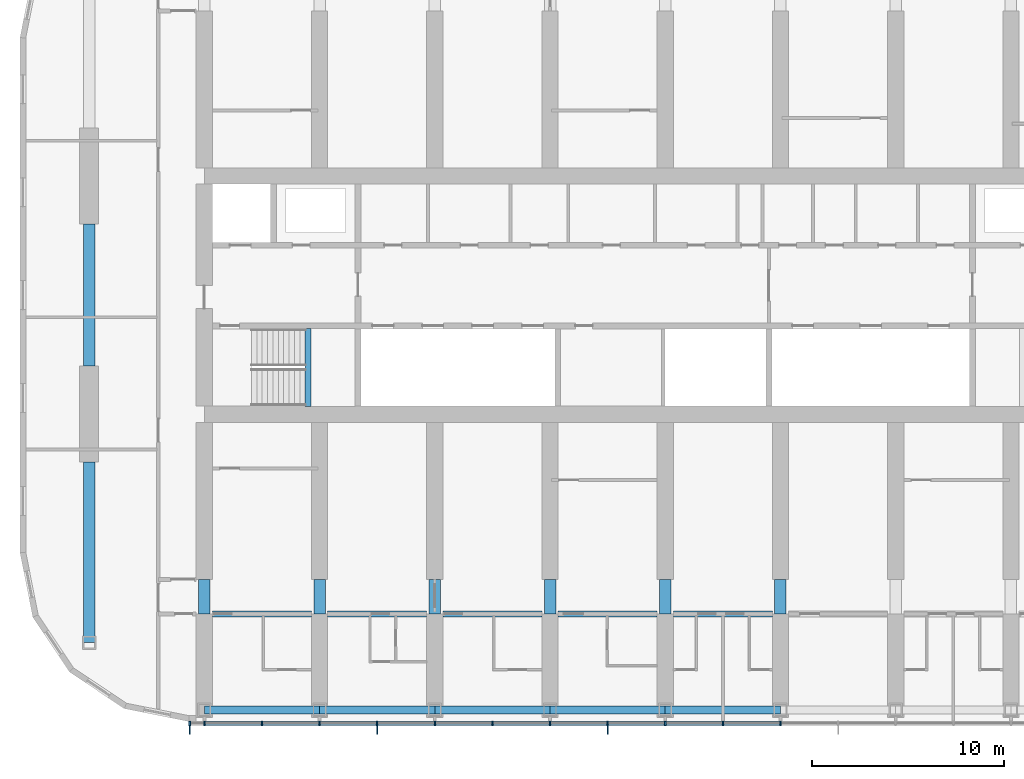
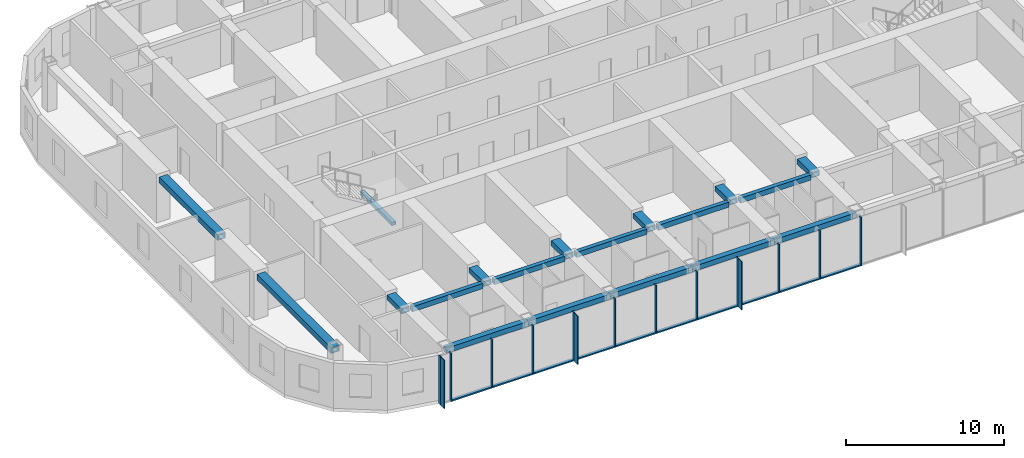
# One storey, part 2 of 23: 25 members, 19 beams, 1 element without a shape of its own.
"""IFC4 building model written with IfcOpenShell, lengths in metres."""

from ifc_helpers import new_model, si_unit, direction, frame, origin, origin_2d, place, context, subcontext, project, spatial, rectangle, hollow_rectangle, extrude, material, material_profile, profile_set, type_object, element, aggregate, save


model = new_model("IFC4")

# Units and contexts
model_context = context("Model", 3, precision=1e-05, world=origin(), true_north=direction((0.0, 1.0)))
body_context = subcontext(model_context, "Body", "Model", "MODEL_VIEW")
ifc_project = project(units=[si_unit("LENGTHUNIT", "METRE"), si_unit("AREAUNIT", "SQUARE_METRE"), si_unit("VOLUMEUNIT", "CUBIC_METRE"), si_unit("PLANEANGLEUNIT", "RADIAN"), si_unit("MASSUNIT", "GRAM", prefix="KILO")], contexts=[model_context])

# Site, building, storey
site_placement = place(None, origin())
site = spatial("IfcSite", under=ifc_project, at=site_placement, CompositionType="ELEMENT")
building_placement = place(site_placement, origin())
building = spatial("IfcBuilding", under=site, at=building_placement, Name="Orbita Commons", CompositionType="ELEMENT")
storey_placement = place(building_placement, frame((0.0, 0.0, 171.10009765625)))
storey = spatial("IfcBuildingStorey", under=building, at=storey_placement, Name="L42", CompositionType="ELEMENT", Elevation=171.10009765625)

# Curtain wall, members
ifc_material_1 = material(Name="Anodised aluminium frame, pale silver", Category="aluminium")
curtain_wall_type = type_object("IfcCurtainWallType", Name="Unitised curtain wall CW-U, full-height vision", PredefinedType="NOTDEFINED", material=ifc_material_1)
curtain_wall_placement = place(storey_placement, origin())
curtain_wall = element("IfcCurtainWall", 1, at=curtain_wall_placement, inside=storey, type_object=curtain_wall_type, Name="Curtain wall south L42", PredefinedType="NOTDEFINED")
ifc_material_2 = material(Name="Anodised aluminium, pale silver", Category="aluminium")
ifc_material_profile_1 = material_profile(ifc_material_2, rectangle(XDim=0.080078125, YDim=0.219970703125, at=origin_2d()), Name="AL 80x220")
ifc_profile_set_1 = profile_set([ifc_material_profile_1], Name="Anodised aluminium, pale silver")
member_type_1 = type_object("IfcMemberType", Name="Curtain wall mullion 80x220", PredefinedType="MULLION", material=ifc_profile_set_1)
member_1_placement = place(storey_placement, frame((17.239990234375, 9.68994140625, -0.25), z_axis=(0.0, 0.0, 1.0), x_axis=(1.0, 0.0, 0.0)))
member_1 = element("IfcMember", 2, at=member_1_placement, type_object=member_type_1, Name="Mullion 1 CW-L42-S", PredefinedType="MULLION", context=body_context, shape_type="SweptSolid", body=[
    extrude(rectangle(XDim=0.080078125, YDim=0.219970703125, at=origin_2d()), origin(), (0.0, 0.0, 1.0), 3.75),
])
member_2_placement = place(storey_placement, frame((18.0, 9.68994140625, -0.25), z_axis=(0.0, 0.0, 1.0), x_axis=(1.0, 0.0, 0.0)))
member_2 = element("IfcMember", 3, at=member_2_placement, type_object=member_type_1, Name="Mullion 2 CW-L42-S", PredefinedType="MULLION", context=body_context, shape_type="SweptSolid", body=[
    extrude(rectangle(XDim=0.080078125, YDim=0.219970703125, at=origin_2d()), origin(), (0.0, 0.0, 1.0), 3.75),
])
member_3_placement = place(storey_placement, frame((21.0, 9.68994140625, -0.25), z_axis=(0.0, 0.0, 1.0), x_axis=(1.0, 0.0, 0.0)))
member_3 = element("IfcMember", 4, at=member_3_placement, type_object=member_type_1, Name="Mullion 3 CW-L42-S", PredefinedType="MULLION", context=body_context, shape_type="SweptSolid", body=[
    extrude(rectangle(XDim=0.080078125, YDim=0.219970703125, at=origin_2d()), origin(), (0.0, 0.0, 1.0), 3.75),
])
member_4_placement = place(storey_placement, frame((24.0, 9.68994140625, -0.25), z_axis=(0.0, 0.0, 1.0), x_axis=(1.0, 0.0, 0.0)))
member_4 = element("IfcMember", 5, at=member_4_placement, type_object=member_type_1, Name="Mullion 4 CW-L42-S", PredefinedType="MULLION", context=body_context, shape_type="SweptSolid", body=[
    extrude(rectangle(XDim=0.080078125, YDim=0.219970703125, at=origin_2d()), origin(), (0.0, 0.0, 1.0), 3.75),
])
member_5_placement = place(storey_placement, frame((27.0, 9.68994140625, -0.25), z_axis=(0.0, 0.0, 1.0), x_axis=(1.0, 0.0, 0.0)))
member_5 = element("IfcMember", 6, at=member_5_placement, type_object=member_type_1, Name="Mullion 5 CW-L42-S", PredefinedType="MULLION", context=body_context, shape_type="SweptSolid", body=[
    extrude(rectangle(XDim=0.080078125, YDim=0.219970703125, at=origin_2d()), origin(), (0.0, 0.0, 1.0), 3.75),
])
member_6_placement = place(storey_placement, frame((30.0, 9.68994140625, -0.25), z_axis=(0.0, 0.0, 1.0), x_axis=(1.0, 0.0, 0.0)))
member_6 = element("IfcMember", 7, at=member_6_placement, type_object=member_type_1, Name="Mullion 6 CW-L42-S", PredefinedType="MULLION", context=body_context, shape_type="SweptSolid", body=[
    extrude(rectangle(XDim=0.080078125, YDim=0.219970703125, at=origin_2d()), origin(), (0.0, 0.0, 1.0), 3.75),
])
member_7_placement = place(storey_placement, frame((33.0, 9.68994140625, -0.25), z_axis=(0.0, 0.0, 1.0), x_axis=(1.0, 0.0, 0.0)))
member_7 = element("IfcMember", 8, at=member_7_placement, type_object=member_type_1, Name="Mullion 7 CW-L42-S", PredefinedType="MULLION", context=body_context, shape_type="SweptSolid", body=[
    extrude(rectangle(XDim=0.080078125, YDim=0.219970703125, at=origin_2d()), origin(), (0.0, 0.0, 1.0), 3.75),
])
member_8_placement = place(storey_placement, frame((36.0, 9.68994140625, -0.25), z_axis=(0.0, 0.0, 1.0), x_axis=(1.0, 0.0, 0.0)))
member_8 = element("IfcMember", 9, at=member_8_placement, type_object=member_type_1, Name="Mullion 8 CW-L42-S", PredefinedType="MULLION", context=body_context, shape_type="SweptSolid", body=[
    extrude(rectangle(XDim=0.080078125, YDim=0.219970703125, at=origin_2d()), origin(), (0.0, 0.0, 1.0), 3.75),
])
member_9_placement = place(storey_placement, frame((39.0, 9.68994140625, -0.25), z_axis=(0.0, 0.0, 1.0), x_axis=(1.0, 0.0, 0.0)))
member_9 = element("IfcMember", 10, at=member_9_placement, type_object=member_type_1, Name="Mullion 9 CW-L42-S", PredefinedType="MULLION", context=body_context, shape_type="SweptSolid", body=[
    extrude(rectangle(XDim=0.080078125, YDim=0.219970703125, at=origin_2d()), origin(), (0.0, 0.0, 1.0), 3.75),
])
member_10_placement = place(storey_placement, frame((42.0, 9.68994140625, -0.25), z_axis=(0.0, 0.0, 1.0), x_axis=(1.0, 0.0, 0.0)))
member_10 = element("IfcMember", 11, at=member_10_placement, type_object=member_type_1, Name="Mullion 10 CW-L42-S", PredefinedType="MULLION", context=body_context, shape_type="SweptSolid", body=[
    extrude(rectangle(XDim=0.080078125, YDim=0.219970703125, at=origin_2d()), origin(), (0.0, 0.0, 1.0), 3.75),
])
member_11_placement = place(storey_placement, frame((45.0, 9.68994140625, -0.25), z_axis=(0.0, 0.0, 1.0), x_axis=(1.0, 0.0, 0.0)))
member_11 = element("IfcMember", 12, at=member_11_placement, type_object=member_type_1, Name="Mullion 11 CW-L42-S", PredefinedType="MULLION", context=body_context, shape_type="SweptSolid", body=[
    extrude(rectangle(XDim=0.080078125, YDim=0.219970703125, at=origin_2d()), origin(), (0.0, 0.0, 1.0), 3.75),
])
member_12_placement = place(storey_placement, frame((48.0, 9.68994140625, -0.25), z_axis=(0.0, 0.0, 1.0), x_axis=(1.0, 0.0, 0.0)))
member_12 = element("IfcMember", 13, at=member_12_placement, type_object=member_type_1, Name="Mullion 12 CW-L42-S", PredefinedType="MULLION", context=body_context, shape_type="SweptSolid", body=[
    extrude(rectangle(XDim=0.080078125, YDim=0.219970703125, at=origin_2d()), origin(), (0.0, 0.0, 1.0), 3.75),
])
ifc_material_3 = material(Name="Anodised aluminium, pale silver", Category="aluminium")
ifc_material_profile_2 = material_profile(ifc_material_3, rectangle(XDim=0.219970703125, YDim=0.10009765625, at=origin_2d()), Name="AL 220x100")
ifc_profile_set_2 = profile_set([ifc_material_profile_2], Name="Anodised aluminium, pale silver")
member_type_2 = type_object("IfcMemberType", Name="Curtain wall stack transom 220x100", PredefinedType="USERDEFINED", material=ifc_profile_set_2)
member_13_placement = place(storey_placement, frame((18.0400390625, 9.68994140625, -0.2001953125), z_axis=(1.0, 0.0, 0.0), x_axis=(0.0, 1.0, 0.0)))
member_13 = element("IfcMember", 14, at=member_13_placement, type_object=member_type_2, Name="Transom 2.1 CW-L42-S", ObjectType="TRANSOM", PredefinedType="USERDEFINED", context=body_context, shape_type="SweptSolid", body=[
    extrude(rectangle(XDim=0.219970703125, YDim=0.10009765625, at=origin_2d()), origin(), (0.0, 0.0, 1.0), 2.919921875),
])
member_14_placement = place(storey_placement, frame((21.0400390625, 9.68994140625, -0.2001953125), z_axis=(1.0, 0.0, 0.0), x_axis=(0.0, 1.0, 0.0)))
member_14 = element("IfcMember", 15, at=member_14_placement, type_object=member_type_2, Name="Transom 3.1 CW-L42-S", ObjectType="TRANSOM", PredefinedType="USERDEFINED", context=body_context, shape_type="SweptSolid", body=[
    extrude(rectangle(XDim=0.219970703125, YDim=0.10009765625, at=origin_2d()), origin(), (0.0, 0.0, 1.0), 2.919921875),
])
member_15_placement = place(storey_placement, frame((24.0400390625, 9.68994140625, -0.2001953125), z_axis=(1.0, 0.0, 0.0), x_axis=(0.0, 1.0, 0.0)))
member_15 = element("IfcMember", 16, at=member_15_placement, type_object=member_type_2, Name="Transom 4.1 CW-L42-S", ObjectType="TRANSOM", PredefinedType="USERDEFINED", context=body_context, shape_type="SweptSolid", body=[
    extrude(rectangle(XDim=0.219970703125, YDim=0.10009765625, at=origin_2d()), origin(), (0.0, 0.0, 1.0), 2.919921875),
])
member_16_placement = place(storey_placement, frame((27.0400390625, 9.68994140625, -0.2001953125), z_axis=(1.0, 0.0, 0.0), x_axis=(0.0, 1.0, 0.0)))
member_16 = element("IfcMember", 17, at=member_16_placement, type_object=member_type_2, Name="Transom 5.1 CW-L42-S", ObjectType="TRANSOM", PredefinedType="USERDEFINED", context=body_context, shape_type="SweptSolid", body=[
    extrude(rectangle(XDim=0.219970703125, YDim=0.10009765625, at=origin_2d()), origin(), (0.0, 0.0, 1.0), 2.919921875),
])
member_17_placement = place(storey_placement, frame((30.0400390625, 9.68994140625, -0.2001953125), z_axis=(1.0, 0.0, 0.0), x_axis=(0.0, 1.0, 0.0)))
member_17 = element("IfcMember", 18, at=member_17_placement, type_object=member_type_2, Name="Transom 6.1 CW-L42-S", ObjectType="TRANSOM", PredefinedType="USERDEFINED", context=body_context, shape_type="SweptSolid", body=[
    extrude(rectangle(XDim=0.219970703125, YDim=0.10009765625, at=origin_2d()), origin(), (0.0, 0.0, 1.0), 2.919921875),
])
member_18_placement = place(storey_placement, frame((33.0400390625, 9.68994140625, -0.2001953125), z_axis=(1.0, 0.0, 0.0), x_axis=(0.0, 1.0, 0.0)))
member_18 = element("IfcMember", 19, at=member_18_placement, type_object=member_type_2, Name="Transom 7.1 CW-L42-S", ObjectType="TRANSOM", PredefinedType="USERDEFINED", context=body_context, shape_type="SweptSolid", body=[
    extrude(rectangle(XDim=0.219970703125, YDim=0.10009765625, at=origin_2d()), origin(), (0.0, 0.0, 1.0), 2.919921875),
])
member_19_placement = place(storey_placement, frame((36.0400390625, 9.68994140625, -0.2001953125), z_axis=(1.0, 0.0, 0.0), x_axis=(0.0, 1.0, 0.0)))
member_19 = element("IfcMember", 20, at=member_19_placement, type_object=member_type_2, Name="Transom 8.1 CW-L42-S", ObjectType="TRANSOM", PredefinedType="USERDEFINED", context=body_context, shape_type="SweptSolid", body=[
    extrude(rectangle(XDim=0.219970703125, YDim=0.10009765625, at=origin_2d()), origin(), (0.0, 0.0, 1.0), 2.919921875),
])
member_20_placement = place(storey_placement, frame((39.0400390625, 9.68994140625, -0.2001953125), z_axis=(1.0, 0.0, 0.0), x_axis=(0.0, 1.0, 0.0)))
member_20 = element("IfcMember", 21, at=member_20_placement, type_object=member_type_2, Name="Transom 9.1 CW-L42-S", ObjectType="TRANSOM", PredefinedType="USERDEFINED", context=body_context, shape_type="SweptSolid", body=[
    extrude(rectangle(XDim=0.219970703125, YDim=0.10009765625, at=origin_2d()), origin(), (0.0, 0.0, 1.0), 2.919921875),
])
member_21_placement = place(storey_placement, frame((42.0400390625, 9.68994140625, -0.2001953125), z_axis=(1.0, 0.0, 0.0), x_axis=(0.0, 1.0, 0.0)))
member_21 = element("IfcMember", 22, at=member_21_placement, type_object=member_type_2, Name="Transom 10.1 CW-L42-S", ObjectType="TRANSOM", PredefinedType="USERDEFINED", context=body_context, shape_type="SweptSolid", body=[
    extrude(rectangle(XDim=0.219970703125, YDim=0.10009765625, at=origin_2d()), origin(), (0.0, 0.0, 1.0), 2.919921875),
])
member_22_placement = place(storey_placement, frame((45.0400390625, 9.68994140625, -0.2001953125), z_axis=(1.0, 0.0, 0.0), x_axis=(0.0, 1.0, 0.0)))
member_22 = element("IfcMember", 23, at=member_22_placement, type_object=member_type_2, Name="Transom 11.1 CW-L42-S", ObjectType="TRANSOM", PredefinedType="USERDEFINED", context=body_context, shape_type="SweptSolid", body=[
    extrude(rectangle(XDim=0.219970703125, YDim=0.10009765625, at=origin_2d()), origin(), (0.0, 0.0, 1.0), 2.919921875),
])

# Beams
ifc_material_4 = material(Name="Steel ASTM A572 Gr 50 welded plate", Category="steel")
ifc_material_profile_3 = material_profile(ifc_material_4, hollow_rectangle(XDim=0.300048828125, YDim=0.25, WallThickness=0.02490234375, at=origin_2d()), Name="BOX 250x300x25")
ifc_profile_set_3 = profile_set([ifc_material_profile_3], Name="Steel ASTM A572 Gr 50 welded plate")
beam_type_1 = type_object("IfcBeamType", Name="Stair landing beam steel BOX 250x300x25", PredefinedType="BEAM", material=ifc_profile_set_3)
beam_1_placement = place(storey_placement, frame((23.39990234375, 26.2099609375, 1.5498046875), z_axis=(0.0, 1.0, 0.0), x_axis=(-1.0, 0.0, 0.0)))
element("IfcBeam", 24, at=beam_1_placement, inside=storey, type_object=beam_type_1, Name="Stair S1 landing beam L42 1", PredefinedType="BEAM", context=body_context, shape_type="SweptSolid", body=[
    extrude(hollow_rectangle(XDim=0.300048828125, YDim=0.25, WallThickness=0.02490234375, at=origin_2d()), origin(), (0.0, 0.0, 1.0), 4.054931640625),
])
ifc_material_5 = material(Name="Steel ASTM A572 Gr 50 welded plate", Category="steel")
ifc_material_profile_4 = material_profile(ifc_material_5, hollow_rectangle(XDim=0.300048828125, YDim=0.39990234375, WallThickness=0.0400390625, at=origin_2d()), Name="BOX 400x300x40")
ifc_profile_set_4 = profile_set([ifc_material_profile_4], Name="Steel ASTM A572 Gr 50 welded plate")
beam_type_2 = type_object("IfcBeamType", Name="Steel corridor link BOX 400x300x40", PredefinedType="BEAM", material=ifc_profile_set_4)
for number, where, z_axis, x_axis, name in (
    (25, (18.425048828125, 15.39990234375, 3.2998046875), (1.0, 0.0, 0.0), (0.0, 1.0, 0.0), "Corridor beam SA 4-5 L42"),
    (26, (24.425048828125, 15.39990234375, 3.2998046875), (1.0, 0.0, 0.0), (0.0, 1.0, 0.0), "Corridor beam SA 5-6 L42"),
    (27, (30.425048828125, 15.39990234375, 3.2998046875), (1.0, 0.0, 0.0), (0.0, 1.0, 0.0), "Corridor beam SA 6-7 L42"),
    (28, (36.425048828125, 15.39990234375, 3.2998046875), (1.0, 0.0, 0.0), (0.0, 1.0, 0.0), "Corridor beam SA 7-8 L42"),
    (29, (42.425048828125, 15.39990234375, 3.2998046875), (1.0, 0.0, 0.0), (0.0, 1.0, 0.0), "Corridor beam SA 8-9 L42"),
):
    element("IfcBeam", number, at=place(storey_placement, frame(where, z_axis=z_axis, x_axis=x_axis)), inside=storey, type_object=beam_type_2, Name=name, PredefinedType="BEAM", context=body_context, shape_type="SweptSolid", body=[
        extrude(hollow_rectangle(XDim=0.300048828125, YDim=0.39990234375, WallThickness=0.0400390625, at=origin_2d()), origin(), (0.0, 0.0, 1.0), 5.14990234375),
    ])
ifc_material_6 = material(Name="Steel ASTM A572 Gr 50 welded plate", Category="steel")
ifc_material_profile_5 = material_profile(ifc_material_6, hollow_rectangle(XDim=0.60009765625, YDim=0.39990234375, WallThickness=0.050048828125, at=origin_2d()), Name="BOX 400x600x50")
ifc_profile_set_5 = profile_set([ifc_material_profile_5], Name="Steel ASTM A572 Gr 50 welded plate")
beam_type_3 = type_object("IfcBeamType", Name="Steel coupling link BOX 400x600x50", PredefinedType="LINTEL", material=ifc_profile_set_5)
for number, where, z_axis, x_axis, name in (
    (30, (18.0, 15.39990234375, 3.2998046875), (0.0, 1.0, 0.0), (-1.0, 0.0, 0.0), "Coupling beam 4 south L42"),
    (31, (24.0, 15.39990234375, 3.2998046875), (0.0, 1.0, 0.0), (-1.0, 0.0, 0.0), "Coupling beam 5 south L42"),
    (32, (30.0, 15.39990234375, 3.2998046875), (0.0, 1.0, 0.0), (-1.0, 0.0, 0.0), "Coupling beam 6 south L42"),
    (33, (36.0, 15.39990234375, 3.2998046875), (0.0, 1.0, 0.0), (-1.0, 0.0, 0.0), "Coupling beam 7 south L42"),
    (34, (42.0, 15.39990234375, 3.2998046875), (0.0, 1.0, 0.0), (-1.0, 0.0, 0.0), "Coupling beam 8 south L42"),
    (35, (48.0, 15.39990234375, 3.2998046875), (0.0, 1.0, 0.0), (-1.0, 0.0, 0.0), "Coupling beam 9 south L42"),
):
    element("IfcBeam", number, at=place(storey_placement, frame(where, z_axis=z_axis, x_axis=x_axis)), inside=storey, type_object=beam_type_3, Name=name, PredefinedType="LINTEL", context=body_context, shape_type="SweptSolid", body=[
        extrude(hollow_rectangle(XDim=0.60009765625, YDim=0.39990234375, WallThickness=0.050048828125, at=origin_2d()), origin(), (0.0, 0.0, 1.0), 1.800048828125),
    ])
ifc_material_7 = material(Name="Steel ASTM A572 Gr 50 welded plate", Category="steel")
ifc_material_profile_6 = material_profile(ifc_material_7, hollow_rectangle(XDim=0.60009765625, YDim=0.449951171875, WallThickness=0.06005859375, at=origin_2d()), Name="BOX 450x600x60")
ifc_profile_set_6 = profile_set([ifc_material_profile_6], Name="Steel ASTM A572 Gr 50 welded plate")
beam_type_4 = type_object("IfcBeamType", Name="Steel end frame link BOX 450x600x60", PredefinedType="BEAM", material=ifc_profile_set_6)
beam_2_placement = place(storey_placement, frame((12.0, 13.89990234375, 3.27490234375), z_axis=(0.0, 1.0, 0.0), x_axis=(-1.0, 0.0, 0.0)))
element("IfcBeam", 36, at=beam_2_placement, inside=storey, type_object=beam_type_4, Name="End frame beam 3 B-C L42", PredefinedType="BEAM", context=body_context, shape_type="SweptSolid", body=[
    extrude(hollow_rectangle(XDim=0.60009765625, YDim=0.449951171875, WallThickness=0.06005859375, at=origin_2d()), origin(), (0.0, 0.0, 1.0), 9.400146484375),
])
beam_3_placement = place(storey_placement, frame((12.0, 28.300048828125, 3.27490234375), z_axis=(0.0, 1.0, 0.0), x_axis=(-1.0, 0.0, 0.0)))
element("IfcBeam", 37, at=beam_3_placement, inside=storey, type_object=beam_type_4, Name="End frame beam 3 C-D L42", PredefinedType="BEAM", context=body_context, shape_type="SweptSolid", body=[
    extrude(hollow_rectangle(XDim=0.60009765625, YDim=0.449951171875, WallThickness=0.06005859375, at=origin_2d()), origin(), (0.0, 0.0, 1.0), 7.39990234375),
])
ifc_material_8 = material(Name="Steel ASTM A572 Gr 50 welded plate", Category="steel")
ifc_material_profile_7 = material_profile(ifc_material_8, hollow_rectangle(XDim=0.39990234375, YDim=0.39990234375, WallThickness=0.0400390625, at=origin_2d()), Name="BOX 400x400x40")
ifc_profile_set_7 = profile_set([ifc_material_profile_7], Name="Steel ASTM A572 Gr 50 welded plate")
beam_type_5 = type_object("IfcBeamType", Name="Steel spandrel BOX 400x400x40", PredefinedType="SPANDREL", material=ifc_profile_set_7)
for number, where, z_axis, x_axis, name in (
    (38, (18.0, 10.39990234375, 3.2998046875), (1.0, 0.0, 0.0), (0.0, 1.0, 0.0), "Spandrel beam B 4-5 L42"),
    (39, (24.0, 10.39990234375, 3.2998046875), (1.0, 0.0, 0.0), (0.0, 1.0, 0.0), "Spandrel beam B 5-6 L42"),
    (40, (30.0, 10.39990234375, 3.2998046875), (1.0, 0.0, 0.0), (0.0, 1.0, 0.0), "Spandrel beam B 6-7 L42"),
    (41, (36.0, 10.39990234375, 3.2998046875), (1.0, 0.0, 0.0), (0.0, 1.0, 0.0), "Spandrel beam B 7-8 L42"),
    (42, (42.0, 10.39990234375, 3.2998046875), (1.0, 0.0, 0.0), (0.0, 1.0, 0.0), "Spandrel beam B 8-9 L42"),
):
    element("IfcBeam", number, at=place(storey_placement, frame(where, z_axis=z_axis, x_axis=x_axis)), inside=storey, type_object=beam_type_5, Name=name, PredefinedType="SPANDREL", context=body_context, shape_type="SweptSolid", body=[
        extrude(hollow_rectangle(XDim=0.39990234375, YDim=0.39990234375, WallThickness=0.0400390625, at=origin_2d()), origin(), (0.0, 0.0, 1.0), 6.0),
    ])

# Member
ifc_material_9 = material(Name="Anodised aluminium, pale silver", Category="aluminium")
ifc_material_profile_8 = material_profile(ifc_material_9, rectangle(XDim=0.06005859375, YDim=0.449951171875, at=origin_2d()), Name="FIN 60x450")
ifc_profile_set_8 = profile_set([ifc_material_profile_8], Name="Anodised aluminium, pale silver")
member_type_3 = type_object("IfcMemberType", Name="Vertical fin 60x450 pale aluminium", PredefinedType="USERDEFINED", material=ifc_profile_set_8)
member_23_placement = place(storey_placement, frame((17.239990234375, 9.35498046875, -0.25), z_axis=(0.0, 0.0, 1.0), x_axis=(1.0, 0.0, 0.0)))
member_23 = element("IfcMember", 43, at=member_23_placement, type_object=member_type_3, Name="Fin 1 CW-L42-S", ObjectType="FIN", PredefinedType="USERDEFINED", context=body_context, shape_type="SweptSolid", body=[
    extrude(rectangle(XDim=0.06005859375, YDim=0.449951171875, at=origin_2d()), origin(), (0.0, 0.0, 1.0), 3.75),
])

member_24_placement = place(storey_placement, frame((27.0, 9.35498046875, -0.25), z_axis=(0.0, 0.0, 1.0), x_axis=(1.0, 0.0, 0.0)))
member_24 = element("IfcMember", 44, at=member_24_placement, type_object=member_type_3, Name="Fin 5 CW-L42-S", ObjectType="FIN", PredefinedType="USERDEFINED", context=body_context, shape_type="SweptSolid", body=[
    extrude(rectangle(XDim=0.06005859375, YDim=0.449951171875, at=origin_2d()), origin(), (0.0, 0.0, 1.0), 3.75),
])

member_25_placement = place(storey_placement, frame((39.0, 9.35498046875, -0.25), z_axis=(0.0, 0.0, 1.0), x_axis=(1.0, 0.0, 0.0)))
member_25 = element("IfcMember", 45, at=member_25_placement, type_object=member_type_3, Name="Fin 9 CW-L42-S", ObjectType="FIN", PredefinedType="USERDEFINED", context=body_context, shape_type="SweptSolid", body=[
    extrude(rectangle(XDim=0.06005859375, YDim=0.449951171875, at=origin_2d()), origin(), (0.0, 0.0, 1.0), 3.75),
])

aggregate(curtain_wall, [member_1, member_23, member_2, member_3, member_4, member_5, member_24, member_6, member_7, member_8, member_9, member_25, member_10, member_11, member_12, member_13, member_14, member_15, member_16, member_17, member_18, member_19, member_20, member_21, member_22])

save(model, "model.ifc")
